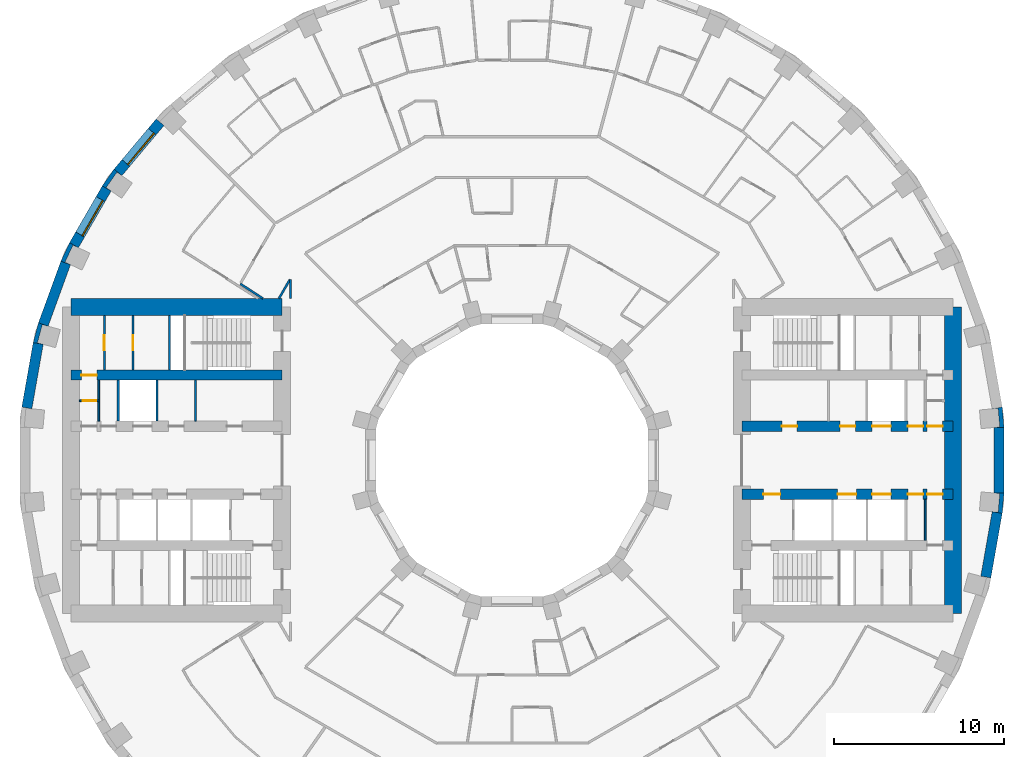
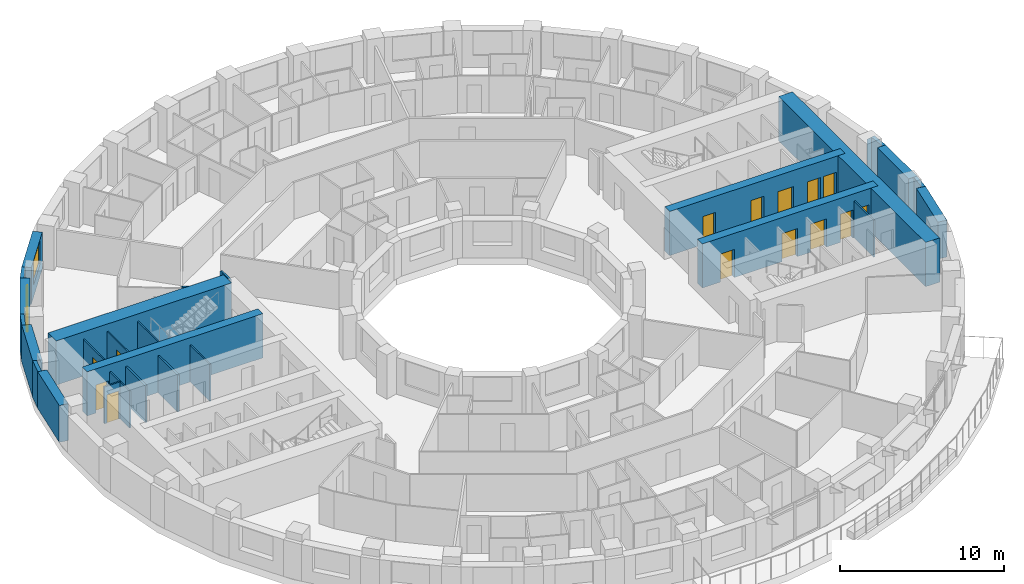
# One storey, part 10 of 16: 28 walls, 14 doors, 2 windows, 16 openings.
"""IFC4 building model written with IfcOpenShell, lengths in metres."""

from ifc_helpers import new_model, si_unit, direction, frame, frame_2d, origin, place, context, subcontext, project, spatial, polyline, rectangle, outline, extrude, material, layer, layer_set, type_object, element, fill, save


model = new_model("IFC4")

# Units and contexts
model_context = context("Model", 3, precision=1e-05, world=origin(), true_north=direction((0.0, 1.0)))
body_context = subcontext(model_context, "Body", "Model", "MODEL_VIEW")
ifc_project = project(units=[si_unit("LENGTHUNIT", "METRE"), si_unit("AREAUNIT", "SQUARE_METRE"), si_unit("VOLUMEUNIT", "CUBIC_METRE"), si_unit("PLANEANGLEUNIT", "RADIAN"), si_unit("MASSUNIT", "GRAM", prefix="KILO")], contexts=[model_context])

# Site, building, storey
site_placement = place(None, origin())
site = spatial("IfcSite", under=ifc_project, at=site_placement, CompositionType="ELEMENT")
building_placement = place(site_placement, origin())
building = spatial("IfcBuilding", under=site, at=building_placement, Name="Saqina Gate Tower", CompositionType="ELEMENT")
storey_placement = place(building_placement, frame((0.0, 0.0, 26.300048828125)))
storey = spatial("IfcBuildingStorey", under=building, at=storey_placement, Name="L06", CompositionType="ELEMENT", Elevation=26.300048828125)

# Walls
ifc_material_1 = material(Name="Brick masonry (red)", Category="masonry")
wall_type_1 = type_object("IfcWallType", Name="BRICK PIER COPING RED", PredefinedType="SOLIDWALL", material=ifc_material_1)
wall_1_placement = place(storey_placement, origin())
element("IfcWall", 1, at=wall_1_placement, inside=storey, type_object=wall_type_1, Name="Pier cap L06 column 1", PredefinedType="SOLIDWALL", context=body_context, shape_type="SweptSolid", body=[
    extrude(outline(polyline([(28.8896484375, 1.9228515625), (28.78466796875, 3.122802734375), (28.19384765625, 3.018798828125), (28.54296875, 3.04931640625), (28.638671875, 1.95361328125), (28.28955078125, 1.9228515625), (28.8896484375, 1.9228515625)])), origin(), (0.0, 0.0, 1.0), 2.75),
])
wall_2_placement = place(storey_placement, origin())
element("IfcWall", 2, at=wall_2_placement, inside=storey, type_object=wall_type_1, Name="Pier cap L06 column 15", PredefinedType="SOLIDWALL", context=body_context, shape_type="SweptSolid", body=[
    extrude(outline(polyline([(-23.36669921875, 17.096923828125), (-24.0576171875, 16.110107421875), (-23.5380859375, 15.81005859375), (-23.8251953125, 16.010986328125), (-23.194091796875, 16.912109375), (-22.9072265625, 16.711181640625), (-23.36669921875, 17.096923828125)])), origin(), (0.0, 0.0, 1.0), 2.75),
])
wall_3_placement = place(storey_placement, origin())
element("IfcWall", 3, at=wall_3_placement, inside=storey, type_object=wall_type_1, Name="Pier cap L06 column 16", PredefinedType="SOLIDWALL", context=body_context, shape_type="SweptSolid", body=[
    extrude(outline(polyline([(-26.48974609375, 11.687744140625), (-25.92578125, 11.482666015625), (-26.243408203125, 11.630615234375), (-25.778564453125, 12.627685546875), (-25.4609375, 12.4794921875), (-25.980712890625, 12.779541015625), (-26.48974609375, 11.687744140625)])), origin(), (0.0, 0.0, 1.0), 2.75),
])
wall_4_placement = place(storey_placement, origin())
element("IfcWall", 4, at=wall_4_placement, inside=storey, type_object=wall_type_1, Name="Pier cap L06 column 17", PredefinedType="SOLIDWALL", context=body_context, shape_type="SweptSolid", body=[
    extrude(outline(polyline([(-28.11669921875, 6.910400390625), (-27.52587890625, 6.80615234375), (-27.864501953125, 6.896728515625), (-27.57958984375, 7.95947265625), (-27.2412109375, 7.86865234375), (-27.80517578125, 8.073974609375), (-28.11669921875, 6.910400390625)])), origin(), (0.0, 0.0, 1.0), 2.75),
])
wall_5_placement = place(storey_placement, origin())
element("IfcWall", 5, at=wall_5_placement, inside=storey, type_object=wall_type_1, Name="Pier cap L06 column 36", PredefinedType="SOLIDWALL", context=body_context, shape_type="SweptSolid", body=[
    extrude(outline(polyline([(28.78466796875, -3.122802734375), (28.8896484375, -1.9228515625), (28.28955078125, -1.9228515625), (28.638671875, -1.95361328125), (28.54296875, -3.04931640625), (28.19384765625, -3.018798828125), (28.78466796875, -3.122802734375)])), origin(), (0.0, 0.0, 1.0), 2.75),
])
ifc_material_2 = material(Name="Gypsum board on steel studs", Category="steel")
ifc_layer_1 = layer(ifc_material_2, 0.10009765625)
ifc_layer_set_1 = layer_set([ifc_layer_1], Name="CORE PARTITION")
wall_type_2 = type_object("IfcWallType", Name="CORE PARTITION", PredefinedType="PARTITIONING", material=ifc_layer_set_1)
for number, where, z_axis, x_axis, name in (
    (6, (24.260009765625, -4.699951171875, 0.0), (0.0, 0.0, 1.0), (0.0, 1.0, 0.0), "L06-CP-E09"),
    (7, (-18.582763671875, 2.300048828125, 0.0), (0.0, 0.0, 1.0), (0.0, 1.0, 0.0), "L06-CP-W01"),
    (8, (-24.260009765625, 2.300048828125, 0.0), (0.0, 0.0, 1.0), (0.0, 1.0, 0.0), "L06-CP-W04"),
):
    element("IfcWall", number, at=place(storey_placement, frame(where, z_axis=z_axis, x_axis=x_axis)), inside=storey, type_object=wall_type_2, Name=name, PredefinedType="PARTITIONING", context=body_context, shape_type="SweptSolid", body=[
        extrude(rectangle(XDim=2.39990234375, YDim=0.10009765625, at=frame_2d((1.199951171875, 0.0))), origin(), (0.0, 0.0, 1.0), 2.75),
    ])

# Wall, opening, door
wall_6_placement = place(storey_placement, frame((-24.260009765625, 3.5, 0.0), z_axis=(0.0, 0.0, 1.0), x_axis=(-1.0, 0.0, 0.0)))
wall_6 = element("IfcWall", 9, at=wall_6_placement, inside=storey, type_object=wall_type_2, Name="L06-CP-W10", PredefinedType="PARTITIONING", context=body_context, shape_type="SweptSolid", body=[
    extrude(rectangle(XDim=1.139892578125, YDim=0.10009765625, at=frame_2d((0.56982421875, 0.0))), origin(), (0.0, 0.0, 1.0), 2.75),
])
opening_1_placement = place(wall_6_placement, frame((0.14990234375, 0.0, 0.0)))
opening_1 = element("IfcOpeningElement", 10, at=opening_1_placement, cuts=wall_6, Name="Opening G01-D115", PredefinedType="OPENING", context=body_context, shape_type="SweptSolid", body=[
    extrude(rectangle(XDim=0.800048828125, YDim=2.10009765625, at=frame_2d((0.39990234375, 1.050048828125))), frame((0.0, 0.06201171875, 0.0), z_axis=(0.0, -1.0, 0.0), x_axis=(1.0, 0.0, 0.0)), (0.0, 0.0, 1.0), 0.1240234375),
])
ifc_material_3 = material(Name="Steel-framed fire door leaf, EI 60", Category="steel")
door_type_1 = type_object("IfcDoorType", Name="SERVICE ROOM DOOR 800", OperationType="SINGLE_SWING_LEFT", PredefinedType="DOOR", material=ifc_material_3)
door_1_placement = place(opening_1_placement, frame((0.800048828125, 0.0, 0.0), z_axis=(0.0, 0.0, 1.0), x_axis=(-1.0, 0.0, 0.0)))
door_1 = element("IfcDoor", 11, at=door_1_placement, inside=storey, type_object=door_type_1, Name="L06-CD-W26", OperationType="SINGLE_SWING_LEFT", OverallHeight=2.10009765625, OverallWidth=0.800048828125, PredefinedType="DOOR", context=body_context, shape_type="SweptSolid", body=[
    extrude(rectangle(XDim=0.800048828125, YDim=2.10009765625, at=frame_2d((0.39990234375, 1.050048828125))), frame((0.0, 0.02490234375, 0.0), z_axis=(0.0, -1.0, 0.0), x_axis=(1.0, 0.0, 0.0)), (0.0, 0.0, 1.0), 0.050048828125),
])
fill(opening_1, door_1)

wall_7_placement = place(storey_placement, frame((-22.256103515625, 5.300048828125, 0.0), z_axis=(0.0, 0.0, 1.0), x_axis=(0.0, 1.0, 0.0)))
wall_7 = element("IfcWall", 12, at=wall_7_placement, inside=storey, type_object=wall_type_2, Name="L06-CP-W12", PredefinedType="PARTITIONING", context=body_context, shape_type="SweptSolid", body=[
    extrude(rectangle(XDim=3.199951171875, YDim=0.10009765625, at=frame_2d((1.60009765625, 0.0))), origin(), (0.0, 0.0, 1.0), 2.75),
])
opening_2_placement = place(wall_7_placement, frame((1.14990234375, 0.0, 0.0)))
opening_2 = element("IfcOpeningElement", 13, at=opening_2_placement, cuts=wall_7, Name="Opening G01-D117", PredefinedType="OPENING", context=body_context, shape_type="SweptSolid", body=[
    extrude(rectangle(XDim=0.89990234375, YDim=2.10009765625, at=frame_2d((0.449951171875, 1.050048828125))), frame((0.0, 0.06201171875, 0.0), z_axis=(0.0, -1.0, 0.0), x_axis=(1.0, 0.0, 0.0)), (0.0, 0.0, 1.0), 0.1240234375),
])
ifc_material_4 = material(Name="Steel-framed fire door leaf, EI 60", Category="steel")
door_type_2 = type_object("IfcDoorType", Name="SERVICE ROOM DOOR 900", OperationType="SINGLE_SWING_LEFT", PredefinedType="DOOR", material=ifc_material_4)
door_2_placement = place(opening_2_placement, frame((0.89990234375, 0.0, 0.0), z_axis=(0.0, 0.0, 1.0), x_axis=(-1.0, 0.0, 0.0)))
door_2 = element("IfcDoor", 14, at=door_2_placement, inside=storey, type_object=door_type_2, Name="L06-CD-W28", OperationType="SINGLE_SWING_RIGHT", OverallHeight=2.10009765625, OverallWidth=0.89990234375, PredefinedType="DOOR", context=body_context, shape_type="SweptSolid", body=[
    extrude(rectangle(XDim=0.89990234375, YDim=2.10009765625, at=frame_2d((0.449951171875, 1.050048828125))), frame((0.0, 0.02490234375, 0.0), z_axis=(0.0, -1.0, 0.0), x_axis=(1.0, 0.0, 0.0)), (0.0, 0.0, 1.0), 0.050048828125),
])
fill(opening_2, door_2)

wall_8_placement = place(storey_placement, frame((-23.932861328125, 5.300048828125, 0.0), z_axis=(0.0, 0.0, 1.0), x_axis=(0.0, 1.0, 0.0)))
wall_8 = element("IfcWall", 15, at=wall_8_placement, inside=storey, type_object=wall_type_2, Name="L06-CP-W13", PredefinedType="PARTITIONING", context=body_context, shape_type="SweptSolid", body=[
    extrude(rectangle(XDim=3.199951171875, YDim=0.10009765625, at=frame_2d((1.60009765625, 0.0))), origin(), (0.0, 0.0, 1.0), 2.75),
])
opening_3_placement = place(wall_8_placement, frame((1.14990234375, 0.0, 0.0)))
opening_3 = element("IfcOpeningElement", 16, at=opening_3_placement, cuts=wall_8, Name="Opening G01-D116", PredefinedType="OPENING", context=body_context, shape_type="SweptSolid", body=[
    extrude(rectangle(XDim=0.89990234375, YDim=2.10009765625, at=frame_2d((0.449951171875, 1.050048828125))), frame((0.0, 0.06201171875, 0.0), z_axis=(0.0, -1.0, 0.0), x_axis=(1.0, 0.0, 0.0)), (0.0, 0.0, 1.0), 0.1240234375),
])
door_3_placement = place(opening_3_placement, frame((0.89990234375, 0.0, 0.0), z_axis=(0.0, 0.0, 1.0), x_axis=(-1.0, 0.0, 0.0)))
door_3 = element("IfcDoor", 17, at=door_3_placement, inside=storey, type_object=door_type_2, Name="L06-CD-W27", OperationType="SINGLE_SWING_RIGHT", OverallHeight=2.10009765625, OverallWidth=0.89990234375, PredefinedType="DOOR", context=body_context, shape_type="SweptSolid", body=[
    extrude(rectangle(XDim=0.89990234375, YDim=2.10009765625, at=frame_2d((0.449951171875, 1.050048828125))), frame((0.0, 0.02490234375, 0.0), z_axis=(0.0, -1.0, 0.0), x_axis=(1.0, 0.0, 0.0)), (0.0, 0.0, 1.0), 0.050048828125),
])
fill(opening_3, door_3)

# Wall, opening, window
ifc_material_5 = material(Name="Brick masonry (red)", Category="masonry")
ifc_layer_2 = layer(ifc_material_5, 0.60009765625)
ifc_layer_set_2 = layer_set([ifc_layer_2], Name="FW-BRICK-RED")
wall_type_3 = type_object("IfcWallType", Name="FW-BRICK-RED", PredefinedType="SOLIDWALL", material=ifc_layer_set_2)
wall_9_placement = place(storey_placement, frame((-20.664794921875, 19.85009765625, 0.0), z_axis=(0.0, 0.0, 1.0), x_axis=(-0.642809392687, -0.766026164483, 0.0)))
wall_9 = element("IfcWall", 18, at=wall_9_placement, inside=storey, type_object=wall_type_3, Name="Facade wall L06 facet 14", PredefinedType="SOLIDWALL", context=body_context, shape_type="SweptSolid", body=[
    extrude(rectangle(XDim=3.845947265625, YDim=0.60009765625, at=frame_2d((1.9228515625, 0.0))), origin(), (0.0, 0.0, 1.0), 2.75),
])
opening_4_placement = place(wall_9_placement, frame((0.722900390625, 0.0, 0.89990234375)))
opening_4 = element("IfcOpeningElement", 19, at=opening_4_placement, cuts=wall_9, Name="Opening G01-W12", PredefinedType="OPENING", context=body_context, shape_type="SweptSolid", body=[
    extrude(rectangle(XDim=2.39990234375, YDim=1.800048828125, at=frame_2d((1.199951171875, 0.89990234375))), frame((0.0, 0.31201171875, 0.0), z_axis=(0.0, -1.0, 0.0), x_axis=(1.0, 0.0, 0.0)), (0.0, 0.0, 1.0), 0.6240234375),
])
ifc_material_6 = material(Name="Aluminium glazing", Category="aluminium")
window_type = type_object("IfcWindowType", Name="WN-A", PartitioningType="SINGLE_PANEL", PredefinedType="WINDOW", material=ifc_material_6)
window_1_placement = place(opening_4_placement, origin())
window_1 = element("IfcWindow", 20, at=window_1_placement, inside=storey, type_object=window_type, Name="Window L06 facet 14", OverallHeight=1.800048828125, OverallWidth=2.39990234375, PartitioningType="SINGLE_PANEL", PredefinedType="WINDOW", context=body_context, shape_type="SweptSolid", body=[
    extrude(rectangle(XDim=2.39990234375, YDim=1.800048828125, at=frame_2d((1.199951171875, 0.89990234375))), frame((0.0, 0.179931640625, 0.0), z_axis=(0.0, -1.0, 0.0), x_axis=(1.0, 0.0, 0.0)), (0.0, 0.0, 1.0), 0.06005859375),
])
fill(opening_4, window_1)

wall_10_placement = place(storey_placement, frame((-23.7978515625, 15.960205078125, 0.0), z_axis=(0.0, 0.0, 1.0), x_axis=(-0.499989888488, -0.86603124159, 0.0)))
wall_10 = element("IfcWall", 21, at=wall_10_placement, inside=storey, type_object=wall_type_3, Name="Facade wall L06 facet 15", PredefinedType="SOLIDWALL", context=body_context, shape_type="SweptSolid", body=[
    extrude(rectangle(XDim=3.845703125, YDim=0.60009765625, at=frame_2d((1.9228515625, 0.0))), origin(), (0.0, 0.0, 1.0), 2.75),
])
opening_5_placement = place(wall_10_placement, frame((0.722900390625, 0.0, 0.89990234375)))
opening_5 = element("IfcOpeningElement", 22, at=opening_5_placement, cuts=wall_10, Name="Opening G01-W13", PredefinedType="OPENING", context=body_context, shape_type="SweptSolid", body=[
    extrude(rectangle(XDim=2.39990234375, YDim=1.800048828125, at=frame_2d((1.199951171875, 0.89990234375))), frame((0.0, 0.31201171875, 0.0), z_axis=(0.0, -1.0, 0.0), x_axis=(1.0, 0.0, 0.0)), (0.0, 0.0, 1.0), 0.6240234375),
])
window_2_placement = place(opening_5_placement, origin())
window_2 = element("IfcWindow", 23, at=window_2_placement, inside=storey, type_object=window_type, Name="Window L06 facet 15", OverallHeight=1.800048828125, OverallWidth=2.39990234375, PartitioningType="SINGLE_PANEL", PredefinedType="WINDOW", context=body_context, shape_type="SweptSolid", body=[
    extrude(rectangle(XDim=2.39990234375, YDim=1.800048828125, at=frame_2d((1.199951171875, 0.89990234375))), frame((0.0, 0.179931640625, 0.0), z_axis=(0.0, -1.0, 0.0), x_axis=(1.0, 0.0, 0.0)), (0.0, 0.0, 1.0), 0.06005859375),
])
fill(opening_5, window_2)

# Walls
ifc_material_7 = material(Name="Glazed ceramic tile", Category="ceramic")
ifc_layer_3 = layer(ifc_material_7, 0.60009765625)
ifc_layer_set_3 = layer_set([ifc_layer_3], Name="FW-TILE")
wall_type_4 = type_object("IfcWallType", Name="FW-TILE", PredefinedType="SOLIDWALL", material=ifc_layer_set_3)
for number, where, z_axis, x_axis, name in (
    (24, (-27.8212890625, 6.858154296875, 0.0), (0.0, 0.0, 1.0), (-0.173687553279, -0.984800809218, 0.0), "Facade wall L06 facet 17"),
    (25, (27.8212890625, -6.858154296875, 0.0), (0.0, 0.0, 1.0), (0.173687553279, 0.984800809218, 0.0), "Facade wall L06 facet 35"),
):
    element("IfcWall", number, at=place(storey_placement, frame(where, z_axis=z_axis, x_axis=x_axis)), inside=storey, type_object=wall_type_4, Name=name, PredefinedType="SOLIDWALL", context=body_context, shape_type="SweptSolid", body=[
        extrude(rectangle(XDim=3.845703125, YDim=0.60009765625, at=frame_2d((1.9228515625, 0.0))), origin(), (0.0, 0.0, 1.0), 2.75),
    ])
ifc_material_8 = material(Name="Glazed ceramic tile (dark blue)", Category="ceramic")
ifc_layer_4 = layer(ifc_material_8, 0.60009765625)
ifc_layer_set_4 = layer_set([ifc_layer_4], Name="FW-TILE-CB")
wall_type_5 = type_object("IfcWallType", Name="FW-TILE-CB", PredefinedType="SOLIDWALL", material=ifc_layer_set_4)
wall_11_placement = place(storey_placement, frame((-26.207763671875, 11.585205078125, 0.0), z_axis=(0.0, 0.0, 1.0), x_axis=(-0.342028474173, -0.939689588564, 0.0)))
element("IfcWall", 26, at=wall_11_placement, inside=storey, type_object=wall_type_5, Name="Facade wall L06 facet 16", PredefinedType="SOLIDWALL", context=body_context, shape_type="SweptSolid", body=[
    extrude(rectangle(XDim=3.845947265625, YDim=0.60009765625, at=frame_2d((1.9228515625, 0.0))), origin(), (0.0, 0.0, 1.0), 2.75),
])
wall_12_placement = place(storey_placement, frame((28.589599609375, -1.9228515625, 0.0), z_axis=(0.0, 0.0, 1.0), x_axis=(0.0, 1.0, 0.0)))
element("IfcWall", 27, at=wall_12_placement, inside=storey, type_object=wall_type_5, Name="Facade wall L06 facet 36", PredefinedType="SOLIDWALL", context=body_context, shape_type="SweptSolid", body=[
    extrude(rectangle(XDim=3.845703125, YDim=0.60009765625, at=frame_2d((1.9228515625, 0.0))), origin(), (0.0, 0.0, 1.0), 2.75),
])
ifc_material_9 = material(Name="Gypsum board on steel studs, 125 mm, fire rated", Category="steel")
ifc_layer_5 = layer(ifc_material_9, 0.125)
ifc_layer_set_5 = layer_set([ifc_layer_5], Name="PARTITION EI 30 125")
wall_type_6 = type_object("IfcWallType", Name="PARTITION EI 30 125", PredefinedType="PARTITIONING", material=ifc_layer_set_5)
wall_13_placement = place(storey_placement, frame((-15.95703125, 10.362060546875, 0.0), z_axis=(0.0, 0.0, 1.0), x_axis=(0.838795721465, -0.544446267002, 0.0)))
element("IfcWall", 28, at=wall_13_placement, inside=storey, type_object=wall_type_6, Name="PARTITION PW1-11", PredefinedType="PARTITIONING", context=body_context, shape_type="SweptSolid", body=[
    extrude(rectangle(XDim=1.583251953125, YDim=0.125, at=frame_2d((0.79150390625, 0.0))), origin(), (0.0, 0.0, 1.0), 2.75),
])
wall_14_placement = place(storey_placement, frame((-13.68310546875, 9.5, 0.0), z_axis=(0.0, 0.0, 1.0), x_axis=(0.500018234033, 0.866014876105, 0.0)))
element("IfcWall", 29, at=wall_14_placement, inside=storey, type_object=wall_type_6, Name="PARTITION PW1-51", PredefinedType="PARTITIONING", context=body_context, shape_type="SweptSolid", body=[
    extrude(rectangle(XDim=1.2861328125, YDim=0.125, at=frame_2d((0.64306640625, 0.0))), origin(), (0.0, 0.0, 1.0), 2.75),
])
wall_15_placement = place(storey_placement, frame((-13.0, 9.5, 0.0), z_axis=(0.0, 0.0, 1.0), x_axis=(0.0, 1.0, 0.0)))
element("IfcWall", 30, at=wall_15_placement, inside=storey, type_object=wall_type_6, Name="PARTITION PW1-56", PredefinedType="PARTITIONING", context=body_context, shape_type="SweptSolid", body=[
    extrude(rectangle(XDim=1.12060546875, YDim=0.125, at=frame_2d((0.560302734375, 0.0))), origin(), (0.0, 0.0, 1.0), 2.75),
])
ifc_material_10 = material(Name="Autoclaved aerated concrete block", Category="concrete")
ifc_layer_6 = layer(ifc_material_10, 0.1201171875)
ifc_layer_set_6 = layer_set([ifc_layer_6], Name="SHAFT PARTITION")
wall_type_7 = type_object("IfcWallType", Name="SHAFT PARTITION", PredefinedType="PARTITIONING", material=ifc_layer_set_6)
for number, where, z_axis, x_axis, name in (
    (31, (-20.840087890625, 2.300048828125, 0.0), (0.0, 0.0, 1.0), (0.0, 1.0, 0.0), "L06-CP-W02"),
    (32, (-23.1201171875, 2.300048828125, 0.0), (0.0, 0.0, 1.0), (0.0, 1.0, 0.0), "L06-CP-W03"),
):
    element("IfcWall", number, at=place(storey_placement, frame(where, z_axis=z_axis, x_axis=x_axis)), inside=storey, type_object=wall_type_7, Name=name, PredefinedType="PARTITIONING", context=body_context, shape_type="SweptSolid", body=[
        extrude(rectangle(XDim=2.39990234375, YDim=0.1201171875, at=frame_2d((1.199951171875, 0.0))), origin(), (0.0, 0.0, 1.0), 2.75),
    ])
ifc_material_11 = material(Name="Autoclaved aerated concrete block", Category="concrete")
ifc_layer_7 = layer(ifc_material_11, 0.10009765625)
ifc_layer_set_7 = layer_set([ifc_layer_7], Name="STAIR ENCLOSURE WALL")
wall_type_8 = type_object("IfcWallType", Name="STAIR ENCLOSURE WALL", PredefinedType="PARTITIONING", material=ifc_layer_set_7)
wall_16_placement = place(storey_placement, frame((-20.110107421875, 5.300048828125, 0.0), z_axis=(0.0, 0.0, 1.0), x_axis=(0.0, 1.0, 0.0)))
element("IfcWall", 33, at=wall_16_placement, inside=storey, type_object=wall_type_8, Name="L06-CP-W11", PredefinedType="PARTITIONING", context=body_context, shape_type="SweptSolid", body=[
    extrude(rectangle(XDim=3.199951171875, YDim=0.10009765625, at=frame_2d((1.60009765625, 0.0))), origin(), (0.0, 0.0, 1.0), 2.75),
])

# Wall, openings, doors
ifc_material_12 = material(Name="Concrete C70/85", Category="concrete")
ifc_layer_8 = layer(ifc_material_12, 0.60009765625)
ifc_layer_set_8 = layer_set([ifc_layer_8], Name="Concrete C70/85")
wall_type_9 = type_object("IfcWallType", Name="STR-CORE WALL-A-I", PredefinedType="SHEAR", material=ifc_layer_set_8)
wall_17_placement = place(storey_placement, frame((13.5, 2.0, 0.0), z_axis=(0.0, 0.0, 1.0), x_axis=(1.0, 0.0, 0.0)))
wall_17 = element("IfcWall", 34, at=wall_17_placement, inside=storey, type_object=wall_type_9, Name="CORE WALL L06 E-L1", PredefinedType="SHEAR", context=body_context, shape_type="SweptSolid", body=[
    extrude(rectangle(XDim=12.39990234375, YDim=0.60009765625, at=frame_2d((6.199951171875, 0.0))), origin(), (0.0, 0.0, 1.0), 3.300048828125),
])
opening_6_placement = place(wall_17_placement, frame((7.64990234375, 0.0, 0.0)))
opening_6 = element("IfcOpeningElement", 35, at=opening_6_placement, cuts=wall_17, Name="Opening G01-LD1", PredefinedType="OPENING", context=body_context, shape_type="SweptSolid", body=[
    extrude(rectangle(XDim=1.10009765625, YDim=2.10009765625, at=frame_2d((0.550048828125, 1.050048828125))), frame((0.0, 0.31201171875, 0.0), z_axis=(0.0, -1.0, 0.0), x_axis=(1.0, 0.0, 0.0)), (0.0, 0.0, 1.0), 0.6240234375),
])
opening_7_placement = place(wall_17_placement, frame((2.34130859375, 0.0, 0.0)))
opening_7 = element("IfcOpeningElement", 36, at=opening_7_placement, cuts=wall_17, Name="Opening G01-D90", PredefinedType="OPENING", context=body_context, shape_type="SweptSolid", body=[
    extrude(rectangle(XDim=0.89990234375, YDim=2.10009765625, at=frame_2d((0.449951171875, 1.050048828125))), frame((0.0, 0.31201171875, 0.0), z_axis=(0.0, -1.0, 0.0), x_axis=(1.0, 0.0, 0.0)), (0.0, 0.0, 1.0), 0.6240234375),
])
opening_8_placement = place(wall_17_placement, frame((5.761474609375, 0.0, 0.0)))
opening_8 = element("IfcOpeningElement", 37, at=opening_8_placement, cuts=wall_17, Name="Opening G01-D91", PredefinedType="OPENING", context=body_context, shape_type="SweptSolid", body=[
    extrude(rectangle(XDim=0.89990234375, YDim=2.10009765625, at=frame_2d((0.449951171875, 1.050048828125))), frame((0.0, 0.31201171875, 0.0), z_axis=(0.0, -1.0, 0.0), x_axis=(1.0, 0.0, 0.0)), (0.0, 0.0, 1.0), 0.6240234375),
])
opening_9_placement = place(wall_17_placement, frame((9.739990234375, 0.0, 0.0)))
opening_9 = element("IfcOpeningElement", 38, at=opening_9_placement, cuts=wall_17, Name="Opening G01-D92", PredefinedType="OPENING", context=body_context, shape_type="SweptSolid", body=[
    extrude(rectangle(XDim=0.89990234375, YDim=2.10009765625, at=frame_2d((0.449951171875, 1.050048828125))), frame((0.0, 0.31201171875, 0.0), z_axis=(0.0, -1.0, 0.0), x_axis=(1.0, 0.0, 0.0)), (0.0, 0.0, 1.0), 0.6240234375),
])
opening_10_placement = place(wall_17_placement, frame((10.8798828125, 0.0, 0.0)))
opening_10 = element("IfcOpeningElement", 39, at=opening_10_placement, cuts=wall_17, Name="Opening G01-D93", PredefinedType="OPENING", context=body_context, shape_type="SweptSolid", body=[
    extrude(rectangle(XDim=0.89990234375, YDim=2.10009765625, at=frame_2d((0.449951171875, 1.050048828125))), frame((0.0, 0.31201171875, 0.0), z_axis=(0.0, -1.0, 0.0), x_axis=(1.0, 0.0, 0.0)), (0.0, 0.0, 1.0), 0.6240234375),
])
ifc_material_13 = material(Name="Stainless steel", Category="steel")
door_type_3 = type_object("IfcDoorType", Name="LANDING DOOR", OperationType="DOUBLE_DOOR_SLIDING", PredefinedType="DOOR", material=ifc_material_13)
door_4_placement = place(opening_6_placement, origin())
door_4 = element("IfcDoor", 40, at=door_4_placement, inside=storey, type_object=door_type_3, Name="LANDING DOOR LR1", OperationType="DOUBLE_DOOR_SLIDING", OverallHeight=2.10009765625, OverallWidth=1.10009765625, PredefinedType="DOOR", context=body_context, shape_type="SweptSolid", body=[
    extrude(rectangle(XDim=1.10009765625, YDim=2.10009765625, at=frame_2d((0.550048828125, 1.050048828125))), frame((0.0, 0.02490234375, 0.0), z_axis=(0.0, -1.0, 0.0), x_axis=(1.0, 0.0, 0.0)), (0.0, 0.0, 1.0), 0.050048828125),
])
fill(opening_6, door_4)
door_5_placement = place(opening_7_placement, origin())
door_5 = element("IfcDoor", 41, at=door_5_placement, inside=storey, type_object=door_type_2, Name="L06-CD-E01", OperationType="SINGLE_SWING_LEFT", OverallHeight=2.10009765625, OverallWidth=0.89990234375, PredefinedType="DOOR", context=body_context, shape_type="SweptSolid", body=[
    extrude(rectangle(XDim=0.89990234375, YDim=2.10009765625, at=frame_2d((0.449951171875, 1.050048828125))), frame((0.0, 0.02490234375, 0.0), z_axis=(0.0, -1.0, 0.0), x_axis=(1.0, 0.0, 0.0)), (0.0, 0.0, 1.0), 0.050048828125),
])
fill(opening_7, door_5)
door_6_placement = place(opening_8_placement, origin())
door_6 = element("IfcDoor", 42, at=door_6_placement, inside=storey, type_object=door_type_2, Name="L06-CD-E02", OperationType="SINGLE_SWING_RIGHT", OverallHeight=2.10009765625, OverallWidth=0.89990234375, PredefinedType="DOOR", context=body_context, shape_type="SweptSolid", body=[
    extrude(rectangle(XDim=0.89990234375, YDim=2.10009765625, at=frame_2d((0.449951171875, 1.050048828125))), frame((0.0, 0.02490234375, 0.0), z_axis=(0.0, -1.0, 0.0), x_axis=(1.0, 0.0, 0.0)), (0.0, 0.0, 1.0), 0.050048828125),
])
fill(opening_8, door_6)
door_7_placement = place(opening_9_placement, origin())
door_7 = element("IfcDoor", 43, at=door_7_placement, inside=storey, type_object=door_type_2, Name="L06-CD-E03", OperationType="SINGLE_SWING_LEFT", OverallHeight=2.10009765625, OverallWidth=0.89990234375, PredefinedType="DOOR", context=body_context, shape_type="SweptSolid", body=[
    extrude(rectangle(XDim=0.89990234375, YDim=2.10009765625, at=frame_2d((0.449951171875, 1.050048828125))), frame((0.0, 0.02490234375, 0.0), z_axis=(0.0, -1.0, 0.0), x_axis=(1.0, 0.0, 0.0)), (0.0, 0.0, 1.0), 0.050048828125),
])
fill(opening_9, door_7)
door_8_placement = place(opening_10_placement, origin())
door_8 = element("IfcDoor", 44, at=door_8_placement, inside=storey, type_object=door_type_2, Name="L06-CD-E04", OperationType="SINGLE_SWING_RIGHT", OverallHeight=2.10009765625, OverallWidth=0.89990234375, PredefinedType="DOOR", context=body_context, shape_type="SweptSolid", body=[
    extrude(rectangle(XDim=0.89990234375, YDim=2.10009765625, at=frame_2d((0.449951171875, 1.050048828125))), frame((0.0, 0.02490234375, 0.0), z_axis=(0.0, -1.0, 0.0), x_axis=(1.0, 0.0, 0.0)), (0.0, 0.0, 1.0), 0.050048828125),
])
fill(opening_10, door_8)

wall_18_placement = place(storey_placement, frame((13.5, -2.0, 0.0), z_axis=(0.0, 0.0, 1.0), x_axis=(1.0, 0.0, 0.0)))
wall_18 = element("IfcWall", 45, at=wall_18_placement, inside=storey, type_object=wall_type_9, Name="CORE WALL L06 E-L2", PredefinedType="SHEAR", context=body_context, shape_type="SweptSolid", body=[
    extrude(rectangle(XDim=12.39990234375, YDim=0.60009765625, at=frame_2d((6.199951171875, 0.0))), origin(), (0.0, 0.0, 1.0), 3.300048828125),
])
opening_11_placement = place(wall_18_placement, frame((5.6201171875, 0.0, 0.0)))
opening_11 = element("IfcOpeningElement", 46, at=opening_11_placement, cuts=wall_18, Name="Opening G01-LD3", PredefinedType="OPENING", context=body_context, shape_type="SweptSolid", body=[
    extrude(rectangle(XDim=1.10009765625, YDim=2.10009765625, at=frame_2d((0.550048828125, 1.050048828125))), frame((0.0, 0.31201171875, 0.0), z_axis=(0.0, -1.0, 0.0), x_axis=(1.0, 0.0, 0.0)), (0.0, 0.0, 1.0), 0.6240234375),
])
opening_12_placement = place(wall_18_placement, frame((7.64990234375, 0.0, 0.0)))
opening_12 = element("IfcOpeningElement", 47, at=opening_12_placement, cuts=wall_18, Name="Opening G01-LD4", PredefinedType="OPENING", context=body_context, shape_type="SweptSolid", body=[
    extrude(rectangle(XDim=1.10009765625, YDim=2.10009765625, at=frame_2d((0.550048828125, 1.050048828125))), frame((0.0, 0.31201171875, 0.0), z_axis=(0.0, -1.0, 0.0), x_axis=(1.0, 0.0, 0.0)), (0.0, 0.0, 1.0), 0.6240234375),
])
opening_13_placement = place(wall_18_placement, frame((1.264892578125, 0.0, 0.0)))
opening_13 = element("IfcOpeningElement", 48, at=opening_13_placement, cuts=wall_18, Name="Opening G01-D94", PredefinedType="OPENING", context=body_context, shape_type="SweptSolid", body=[
    extrude(rectangle(XDim=1.0, YDim=2.10009765625, at=frame_2d((0.5, 1.050048828125))), frame((0.0, 0.31201171875, 0.0), z_axis=(0.0, -1.0, 0.0), x_axis=(1.0, 0.0, 0.0)), (0.0, 0.0, 1.0), 0.6240234375),
])
opening_14_placement = place(wall_18_placement, frame((9.739990234375, 0.0, 0.0)))
opening_14 = element("IfcOpeningElement", 49, at=opening_14_placement, cuts=wall_18, Name="Opening G01-D95", PredefinedType="OPENING", context=body_context, shape_type="SweptSolid", body=[
    extrude(rectangle(XDim=0.89990234375, YDim=2.10009765625, at=frame_2d((0.449951171875, 1.050048828125))), frame((0.0, 0.31201171875, 0.0), z_axis=(0.0, -1.0, 0.0), x_axis=(1.0, 0.0, 0.0)), (0.0, 0.0, 1.0), 0.6240234375),
])
opening_15_placement = place(wall_18_placement, frame((10.8798828125, 0.0, 0.0)))
opening_15 = element("IfcOpeningElement", 50, at=opening_15_placement, cuts=wall_18, Name="Opening G01-D96", PredefinedType="OPENING", context=body_context, shape_type="SweptSolid", body=[
    extrude(rectangle(XDim=0.89990234375, YDim=2.10009765625, at=frame_2d((0.449951171875, 1.050048828125))), frame((0.0, 0.31201171875, 0.0), z_axis=(0.0, -1.0, 0.0), x_axis=(1.0, 0.0, 0.0)), (0.0, 0.0, 1.0), 0.6240234375),
])
ifc_material_14 = material(Name="Steel", Category="steel")
door_type_4 = type_object("IfcDoorType", Name="FIRE LOBBY DOOR EI 60", OperationType="SINGLE_SWING_LEFT", PredefinedType="DOOR", material=ifc_material_14)
door_9_placement = place(opening_13_placement, origin())
door_9 = element("IfcDoor", 51, at=door_9_placement, inside=storey, type_object=door_type_4, Name="L06-CD-E05", OperationType="SINGLE_SWING_LEFT", OverallHeight=2.10009765625, OverallWidth=1.0, PredefinedType="DOOR", context=body_context, shape_type="SweptSolid", body=[
    extrude(rectangle(XDim=1.0, YDim=2.10009765625, at=frame_2d((0.5, 1.050048828125))), frame((0.0, 0.02490234375, 0.0), z_axis=(0.0, -1.0, 0.0), x_axis=(1.0, 0.0, 0.0)), (0.0, 0.0, 1.0), 0.050048828125),
])
fill(opening_13, door_9)
door_10_placement = place(opening_11_placement, origin())
door_10 = element("IfcDoor", 52, at=door_10_placement, inside=storey, type_object=door_type_3, Name="LANDING DOOR LR3", OperationType="DOUBLE_DOOR_SLIDING", OverallHeight=2.10009765625, OverallWidth=1.10009765625, PredefinedType="DOOR", context=body_context, shape_type="SweptSolid", body=[
    extrude(rectangle(XDim=1.10009765625, YDim=2.10009765625, at=frame_2d((0.550048828125, 1.050048828125))), frame((0.0, 0.02490234375, 0.0), z_axis=(0.0, -1.0, 0.0), x_axis=(1.0, 0.0, 0.0)), (0.0, 0.0, 1.0), 0.050048828125),
])
fill(opening_11, door_10)
door_11_placement = place(opening_12_placement, origin())
door_11 = element("IfcDoor", 53, at=door_11_placement, inside=storey, type_object=door_type_3, Name="LANDING DOOR LR2", OperationType="DOUBLE_DOOR_SLIDING", OverallHeight=2.10009765625, OverallWidth=1.10009765625, PredefinedType="DOOR", context=body_context, shape_type="SweptSolid", body=[
    extrude(rectangle(XDim=1.10009765625, YDim=2.10009765625, at=frame_2d((0.550048828125, 1.050048828125))), frame((0.0, 0.02490234375, 0.0), z_axis=(0.0, -1.0, 0.0), x_axis=(1.0, 0.0, 0.0)), (0.0, 0.0, 1.0), 0.050048828125),
])
fill(opening_12, door_11)
door_12_placement = place(opening_14_placement, frame((0.89990234375, 0.0, 0.0), z_axis=(0.0, 0.0, 1.0), x_axis=(-1.0, 0.0, 0.0)))
door_12 = element("IfcDoor", 54, at=door_12_placement, inside=storey, type_object=door_type_2, Name="L06-CD-E06", OperationType="SINGLE_SWING_RIGHT", OverallHeight=2.10009765625, OverallWidth=0.89990234375, PredefinedType="DOOR", context=body_context, shape_type="SweptSolid", body=[
    extrude(rectangle(XDim=0.89990234375, YDim=2.10009765625, at=frame_2d((0.449951171875, 1.050048828125))), frame((0.0, 0.02490234375, 0.0), z_axis=(0.0, -1.0, 0.0), x_axis=(1.0, 0.0, 0.0)), (0.0, 0.0, 1.0), 0.050048828125),
])
fill(opening_14, door_12)
door_13_placement = place(opening_15_placement, frame((0.89990234375, 0.0, 0.0), z_axis=(0.0, 0.0, 1.0), x_axis=(-1.0, 0.0, 0.0)))
door_13 = element("IfcDoor", 55, at=door_13_placement, inside=storey, type_object=door_type_2, Name="L06-CD-E07", OperationType="SINGLE_SWING_LEFT", OverallHeight=2.10009765625, OverallWidth=0.89990234375, PredefinedType="DOOR", context=body_context, shape_type="SweptSolid", body=[
    extrude(rectangle(XDim=0.89990234375, YDim=2.10009765625, at=frame_2d((0.449951171875, 1.050048828125))), frame((0.0, 0.02490234375, 0.0), z_axis=(0.0, -1.0, 0.0), x_axis=(1.0, 0.0, 0.0)), (0.0, 0.0, 1.0), 0.050048828125),
])
fill(opening_15, door_13)

# Wall, opening, door
wall_19_placement = place(storey_placement, frame((-13.5, 5.0, 0.0), z_axis=(0.0, 0.0, 1.0), x_axis=(-1.0, 0.0, 0.0)))
wall_19 = element("IfcWall", 56, at=wall_19_placement, inside=storey, type_object=wall_type_9, Name="CORE WALL L06 W-X1", PredefinedType="SHEAR", context=body_context, shape_type="SweptSolid", body=[
    extrude(rectangle(XDim=12.39990234375, YDim=0.60009765625, at=frame_2d((6.199951171875, 0.0))), origin(), (0.0, 0.0, 1.0), 3.300048828125),
])
opening_16_placement = place(wall_19_placement, frame((10.8798828125, 0.0, 0.0)))
opening_16 = element("IfcOpeningElement", 57, at=opening_16_placement, cuts=wall_19, Name="Opening G01-D118", PredefinedType="OPENING", context=body_context, shape_type="SweptSolid", body=[
    extrude(rectangle(XDim=0.89990234375, YDim=2.10009765625, at=frame_2d((0.449951171875, 1.050048828125))), frame((0.0, 0.31201171875, 0.0), z_axis=(0.0, -1.0, 0.0), x_axis=(1.0, 0.0, 0.0)), (0.0, 0.0, 1.0), 0.6240234375),
])
door_14_placement = place(opening_16_placement, frame((0.89990234375, 0.0, 0.0), z_axis=(0.0, 0.0, 1.0), x_axis=(-1.0, 0.0, 0.0)))
door_14 = element("IfcDoor", 58, at=door_14_placement, inside=storey, type_object=door_type_2, Name="L06-CD-W29", OperationType="SINGLE_SWING_LEFT", OverallHeight=2.10009765625, OverallWidth=0.89990234375, PredefinedType="DOOR", context=body_context, shape_type="SweptSolid", body=[
    extrude(rectangle(XDim=0.89990234375, YDim=2.10009765625, at=frame_2d((0.449951171875, 1.050048828125))), frame((0.0, 0.02490234375, 0.0), z_axis=(0.0, -1.0, 0.0), x_axis=(1.0, 0.0, 0.0)), (0.0, 0.0, 1.0), 0.050048828125),
])
fill(opening_16, door_14)

# Walls
ifc_material_15 = material(Name="Concrete C70/85", Category="concrete")
ifc_layer_9 = layer(ifc_material_15, 1.0)
ifc_layer_set_9 = layer_set([ifc_layer_9], Name="Concrete C70/85")
wall_type_10 = type_object("IfcWallType", Name="STR-CORE WALL-A-O", PredefinedType="SHEAR", material=ifc_layer_set_9)
wall_20_placement = place(storey_placement, frame((25.89990234375, -9.0, 0.0), z_axis=(0.0, 0.0, 1.0), x_axis=(0.0, 1.0, 0.0)))
element("IfcWall", 59, at=wall_20_placement, inside=storey, type_object=wall_type_10, Name="CORE WALL L06 E-W2", PredefinedType="SHEAR", context=body_context, shape_type="SweptSolid", body=[
    extrude(rectangle(XDim=18.0, YDim=1.0, at=frame_2d((9.0, 0.0))), origin(), (0.0, 0.0, 1.0), 3.300048828125),
])
wall_21_placement = place(storey_placement, frame((-13.5, 9.0, 0.0), z_axis=(0.0, 0.0, 1.0), x_axis=(-1.0, 0.0, 0.0)))
element("IfcWall", 60, at=wall_21_placement, inside=storey, type_object=wall_type_10, Name="CORE WALL L06 W-NE", PredefinedType="SHEAR", context=body_context, shape_type="SweptSolid", body=[
    extrude(rectangle(XDim=12.39990234375, YDim=1.0, at=frame_2d((6.199951171875, 0.0))), origin(), (0.0, 0.0, 1.0), 3.300048828125),
])

save(model, "model.ifc")
